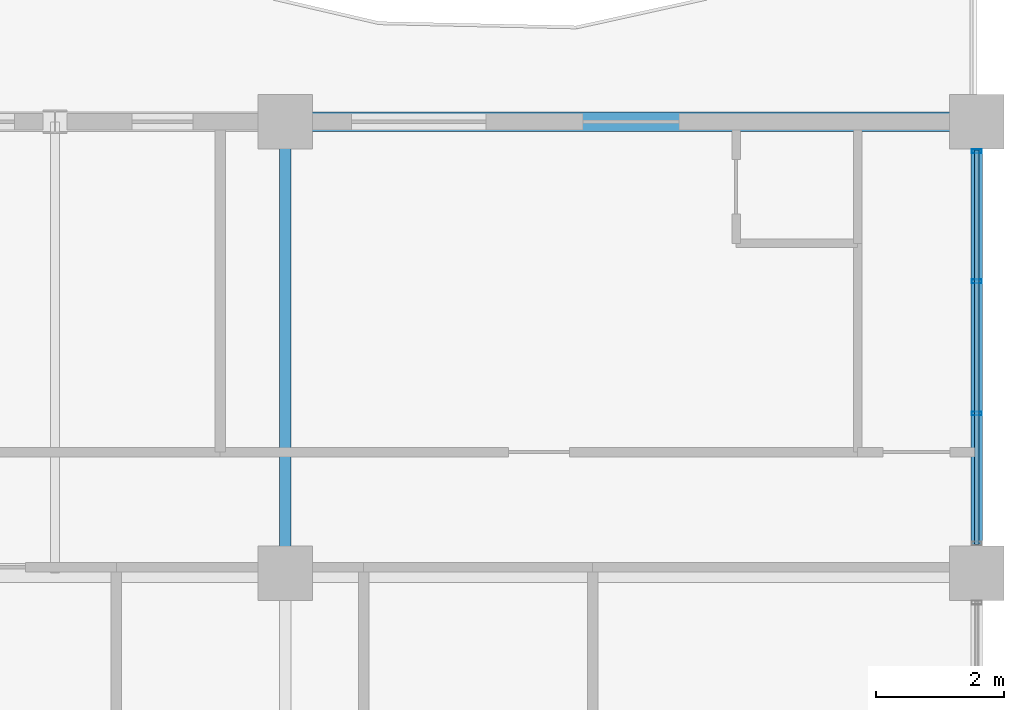
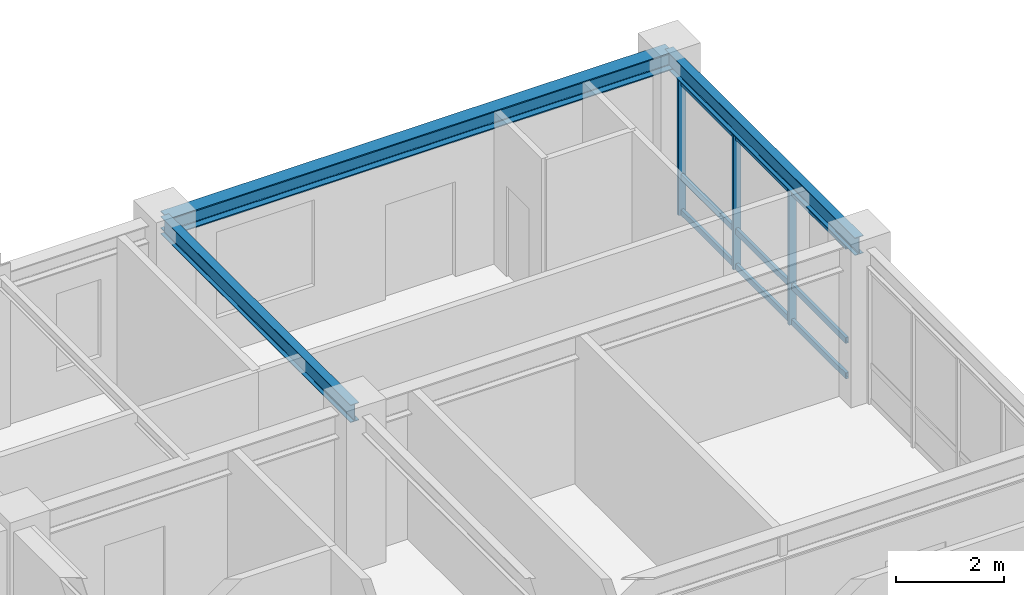
# One storey, part 4 of 11: 6 members, 3 beams, 1 element without a shape of its own.
"""IFC4 building model written with IfcOpenShell, lengths in metres."""

import ifcopenshell
import ifcopenshell.guid

model = None  # the IFC model being written
_history = None  # IfcOwnerHistory: only IFC2X3 demands one
_inside = {}  # id of a spatial element -> (the spatial element, [elements in it])
_under = {}  # id of a project, library or spatial element -> (it, [spatial elements below it])
_declared = {}  # id of a project -> (the project, [libraries it declares])
_typed = {}  # id of a type object -> (the type object, [elements of that type])
_made_of = {}  # id of a material, layer set ... -> (it, [elements and type objects made of it])


def new_model(schema):
    """Start an empty IFC model of exactly this schema.

    Asked for "IFC4X3", IfcOpenShell would pick the latest addendum, in which some entities
    have other attributes; the version numbers below select the first issue.
    IFC2X3 requires an IfcOwnerHistory on every rooted entity: one is made here for all.
    """
    global model, _history
    if schema == "IFC4X3":
        model = ifcopenshell.file(schema_version=(4, 3, 0, 0))
    else:
        model = ifcopenshell.file(schema=schema)
    _inside.clear()
    _under.clear()
    _declared.clear()
    _typed.clear()
    _made_of.clear()
    _history = None
    if model.schema == "IFC2X3":
        org = make("IfcOrganization", Name="unknown")
        user = make(
            "IfcPersonAndOrganization",
            ThePerson=make("IfcPerson", FamilyName="unknown"),
            TheOrganization=org,
        )
        app = make(
            "IfcApplication",
            ApplicationDeveloper=org,
            Version="unknown",
            ApplicationFullName="unknown",
            ApplicationIdentifier="unknown",
        )
        _history = make(
            "IfcOwnerHistory",
            OwningUser=user,
            OwningApplication=app,
            ChangeAction="ADDED",
            CreationDate=0,
        )
    return model


def make(cls, **values):
    """One entity of the class cls with the attributes given. An attribute that is None is left unset."""
    return model.create_entity(
        cls, **{name: value for name, value in values.items() if value is not None}
    )


def rooted(cls, **values):
    """An entity with a GlobalId (a new one), such as an element, a storey or a relation."""
    return make(cls, GlobalId=ifcopenshell.guid.new(), OwnerHistory=_history, **values)


def si_unit(unit_type, name, prefix=None):
    """IfcSIUnit, for example si_unit("LENGTHUNIT", "METRE", prefix="MILLI")."""
    return make("IfcSIUnit", UnitType=unit_type, Prefix=prefix, Name=name)


def assignment(units):
    """IfcUnitAssignment: the units of a project."""
    return None if units is None else make("IfcUnitAssignment", Units=units)


def point(xyz):
    """IfcCartesianPoint."""
    return None if xyz is None else make("IfcCartesianPoint", Coordinates=xyz)


def direction(xyz):
    """IfcDirection."""
    return None if xyz is None else make("IfcDirection", DirectionRatios=xyz)


def frame(location, z_axis=None, x_axis=None):
    """IfcAxis2Placement3D, a coordinate frame: its origin and axes. An axis left out is left unset."""
    return make(
        "IfcAxis2Placement3D",
        Location=point(location),
        Axis=direction(z_axis),
        RefDirection=direction(x_axis),
    )


def frame_2d(location, x_axis=None):
    """IfcAxis2Placement2D, a coordinate frame in the plane: its origin and x axis."""
    return make(
        "IfcAxis2Placement2D", Location=point(location), RefDirection=direction(x_axis)
    )


def origin():
    """The frame at (0, 0, 0) with its axes left unset."""
    return frame((0.0, 0.0, 0.0))


def origin_2d():
    """The frame at (0, 0) in the plane with its x axis left unset."""
    return frame_2d((0.0, 0.0))


def place(relative_to, where):
    """IfcLocalPlacement: puts the frame where relative to a parent placement (None: the world)."""
    return make(
        "IfcLocalPlacement", PlacementRelTo=relative_to, RelativePlacement=where
    )


def context(
    kind, dimensions, precision=None, world=None, true_north=None, identifier=None
):
    """IfcGeometricRepresentationContext, for example the 3D "Model" context."""
    return make(
        "IfcGeometricRepresentationContext",
        ContextIdentifier=identifier,
        ContextType=kind,
        CoordinateSpaceDimension=dimensions,
        Precision=precision,
        WorldCoordinateSystem=world,
        TrueNorth=true_north,
    )


def subcontext(parent, identifier, kind, view, scale=None):
    """IfcGeometricRepresentationSubContext, for example "Body" below "Model"."""
    return make(
        "IfcGeometricRepresentationSubContext",
        ContextIdentifier=identifier,
        ContextType=kind,
        ParentContext=parent,
        TargetScale=scale,
        TargetView=view,
    )


def project(units=None, contexts=None):
    """IfcProject with its units and contexts."""
    return rooted(
        "IfcProject",
        Name="project",
        RepresentationContexts=contexts,
        UnitsInContext=assignment(units),
    )


def spatial(cls, under=None, at=None, **own):
    """A site, building, storey or space (cls), placed at a placement, below another one or the project."""
    s = rooted(cls, ObjectPlacement=at, **own)
    if under is not None:
        _under.setdefault(under.id(), (under, []))[1].append(s)
    return s


def profile(cls, at=None, kind="AREA", **sizes):
    """A parametric profile (cls). Its sizes go by their IFC names, for example OverallWidth=200.0."""
    return make(cls, ProfileType=kind, Position=at, **sizes)


def hollow_rectangle(**sizes):
    """IfcRectangleHollowProfileDef."""
    return profile("IfcRectangleHollowProfileDef", **sizes)


def i_section(**sizes):
    """IfcIShapeProfileDef."""
    return profile("IfcIShapeProfileDef", **sizes)


def extrude(swept, where, along, depth):
    """IfcExtrudedAreaSolid: the profile swept, set in the frame where, extruded along a direction by depth."""
    return make(
        "IfcExtrudedAreaSolid",
        SweptArea=swept,
        Position=where,
        ExtrudedDirection=direction(along),
        Depth=depth,
    )


def shape(context_of_items, identifier, shape_type, items):
    """IfcShapeRepresentation: the items that make up one representation, for example the "Body"."""
    return make(
        "IfcShapeRepresentation",
        ContextOfItems=context_of_items,
        RepresentationIdentifier=identifier,
        RepresentationType=shape_type,
        Items=items,
    )


def source(mapping_origin, context_of_items, identifier, shape_type, items):
    """IfcRepresentationMap: a shape defined once, which mapped items show again and again."""
    return make(
        "IfcRepresentationMap",
        MappingOrigin=mapping_origin,
        MappedRepresentation=shape(context_of_items, identifier, shape_type, items),
    )


def transform(
    local_origin,
    x_axis=None,
    y_axis=None,
    z_axis=None,
    scale=None,
    scale2=None,
    scale3=None,
    uniform=True,
):
    """IfcCartesianTransformationOperator3D, or its non-uniform kind. x_axis, y_axis, z_axis: its Axis1, 2, 3."""
    if uniform:
        return make(
            "IfcCartesianTransformationOperator3D",
            Axis1=direction(x_axis),
            Axis2=direction(y_axis),
            LocalOrigin=point(local_origin),
            Scale=scale,
            Axis3=direction(z_axis),
        )
    return make(
        "IfcCartesianTransformationOperator3DnonUniform",
        Axis1=direction(x_axis),
        Axis2=direction(y_axis),
        LocalOrigin=point(local_origin),
        Scale=scale,
        Axis3=direction(z_axis),
        Scale2=scale2,
        Scale3=scale3,
    )


def mapped(mapping_source, mapping_target):
    """IfcMappedItem: shows the shape of a source again, moved by a transform."""
    return make(
        "IfcMappedItem", MappingSource=mapping_source, MappingTarget=mapping_target
    )


def material(Name=None, Category=None):
    """IfcMaterial."""
    return make("IfcMaterial", Name=Name, Category=Category)


def layer(
    of_material, thickness, ventilated=None, Name=None, Category=None, Priority=None
):
    """IfcMaterialLayer: one layer of a wall or slab, of a material (None: an air gap)."""
    return make(
        "IfcMaterialLayer",
        Material=of_material,
        LayerThickness=thickness,
        IsVentilated=ventilated,
        Name=Name,
        Category=Category,
        Priority=Priority,
    )


def layer_set(layers, Name=None):
    """IfcMaterialLayerSet."""
    return make("IfcMaterialLayerSet", MaterialLayers=layers, LayerSetName=Name)


def material_profile(
    of_material, cross_section, Name=None, Category=None, Priority=None
):
    """IfcMaterialProfile: a cross section and its material."""
    return make(
        "IfcMaterialProfile",
        Name=Name,
        Material=of_material,
        Profile=cross_section,
        Priority=Priority,
        Category=Category,
    )


def profile_set(profiles, Name=None, composite=None):
    """IfcMaterialProfileSet."""
    return make(
        "IfcMaterialProfileSet",
        Name=Name,
        MaterialProfiles=profiles,
        CompositeProfile=composite,
    )


def made_of(thing, what):
    """Note that an element or type object is made of a material, layer set ...; save() writes the relation."""
    if what is not None:
        _made_of.setdefault(what.id(), (what, []))[1].append(thing)
    return thing


def type_object(cls, material=None, **own):
    """A type object (cls), such as IfcWallType, which elements share."""
    return made_of(rooted(cls, **own), material)


def element(
    cls,
    number,
    at=None,
    inside=None,
    cuts=None,
    type_object=None,
    material=None,
    context=None,
    identifier="Body",
    shape_type=None,
    held_by="IfcProductDefinitionShape",
    body=None,
    shapes=None,
    **own,
):
    """One element of the class cls, such as IfcWall. Its Tag is "e" and its number.

    at: its placement. inside: the storey or other place that contains it. cuts: it is an
    opening in that element (IfcRelVoidsElement). A single representation is given by context,
    identifier, shape_type and body (its items); several are given by shapes. held_by: the class
    of the entity that holds the representations. save() writes the other relations.
    """
    e = rooted(cls, Tag="e%d" % number, ObjectPlacement=at, **own)
    if body is not None:
        shapes = [shape(context, identifier, shape_type, body)]
    if shapes is not None:
        e.Representation = make(held_by, Representations=shapes)
    if inside is not None:
        _inside.setdefault(inside.id(), (inside, []))[1].append(e)
    if cuts is not None:
        rooted(
            "IfcRelVoidsElement", RelatingBuildingElement=cuts, RelatedOpeningElement=e
        )
    if type_object is not None:
        _typed.setdefault(type_object.id(), (type_object, []))[1].append(e)
    return made_of(e, material)


def aggregate(whole, parts):
    """IfcRelAggregates: a whole, such as a stair, and the parts it consists of."""
    return rooted("IfcRelAggregates", RelatingObject=whole, RelatedObjects=parts)


def save(model, path):
    """Write the relations noted so far, then the file.

    IfcRelAggregates (storeys below a building ...), IfcRelContainedInSpatialStructure (elements
    in a storey), IfcRelDefinesByType, IfcRelAssociatesMaterial and IfcRelDeclares: one each for
    every whole, place, type object, material and project.
    """
    for whole, parts in _under.values():
        aggregate(whole, parts)
    for where, things in _inside.values():
        rooted(
            "IfcRelContainedInSpatialStructure",
            RelatedElements=things,
            RelatingStructure=where,
        )
    for kind, things in _typed.values():
        rooted("IfcRelDefinesByType", RelatedObjects=things, RelatingType=kind)
    for what, things in _made_of.values():
        rooted("IfcRelAssociatesMaterial", RelatedObjects=things, RelatingMaterial=what)
    for by, libraries in _declared.values():
        rooted("IfcRelDeclares", RelatingContext=by, RelatedDefinitions=libraries)
    model.write(path)


model = new_model("IFC4")

# Units and contexts
model_context = context("Model", 3, precision=1e-05, world=origin(), true_north=direction((0.0, 1.0)))
body_context = subcontext(model_context, "Body", "Model", "MODEL_VIEW")
ifc_project = project(units=[si_unit("LENGTHUNIT", "METRE"), si_unit("AREAUNIT", "SQUARE_METRE"), si_unit("VOLUMEUNIT", "CUBIC_METRE"), si_unit("PLANEANGLEUNIT", "RADIAN"), si_unit("MASSUNIT", "GRAM", prefix="KILO")], contexts=[model_context])

# Site, building, storey
site_placement = place(None, origin())
site = spatial("IfcSite", under=ifc_project, at=site_placement, CompositionType="ELEMENT")
building_placement = place(site_placement, origin())
building = spatial("IfcBuilding", under=site, at=building_placement, Name="Kaliganga Portal Commons", CompositionType="ELEMENT")
storey_placement = place(building_placement, frame((0.0, 0.0, 261.0)))
storey = spatial("IfcBuildingStorey", under=building, at=storey_placement, Name="L67", CompositionType="ELEMENT", Elevation=261.0)

# Beams
ifc_material_1 = material(Name="Structural steel S355J2", Category="steel")
ifc_material_profile_1 = material_profile(ifc_material_1, i_section(OverallWidth=0.300048828125, OverallDepth=0.39990234375, WebThickness=0.013427734375, FlangeThickness=0.02392578125, FilletRadius=0.027099609375, at=origin_2d()), Name="HE 400 B")
ifc_profile_set_1 = profile_set([ifc_material_profile_1], Name="Structural steel S355J2 wide-flange")
beam_type_1 = type_object("IfcBeamType", Name="BM-SPAND-400", PredefinedType="SPANDREL", material=ifc_profile_set_1)
shared_shape_1 = source(origin(), body_context, "Body", "SweptSolid", [
    extrude(i_section(OverallWidth=0.300048828125, OverallDepth=0.39990234375, WebThickness=0.013427734375, FlangeThickness=0.02392578125, FilletRadius=0.027099609375, at=origin_2d()), origin(), (0.0, 0.0, 1.0), 10.800048828125),
])
beam_placement = place(storey_placement, frame((36.0, 43.199951171875, 3.27490234375), z_axis=(1.0, 0.0, 0.0), x_axis=(0.0, 1.0, 0.0)))
element("IfcBeam", 1, at=beam_placement, inside=storey, type_object=beam_type_1, Name="BM SP L67 AN 7", PredefinedType="SPANDREL", context=body_context, shape_type="MappedRepresentation", body=[
    mapped(shared_shape_1, transform((0.0, 0.0, 0.0), x_axis=(1.0, 0.0, 0.0), y_axis=(0.0, 1.0, 0.0), z_axis=(0.0, 0.0, 1.0), scale=1.0)),
])
ifc_material_profile_2 = material_profile(ifc_material_1, i_section(OverallWidth=0.179931640625, OverallDepth=0.39990234375, WebThickness=0.008544921875, FlangeThickness=0.013427734375, FilletRadius=0.02099609375, at=origin_2d()), Name="IPE 400")
ifc_profile_set_2 = profile_set([ifc_material_profile_2], Name="Structural steel S355J2 wide-flange")
beam_type_2 = type_object("IfcBeamType", Name="BM-FLR-400", PredefinedType="BEAM", material=ifc_profile_set_2)
shared_shape_2 = source(origin(), body_context, "Body", "SweptSolid", [
    extrude(i_section(OverallWidth=0.179931640625, OverallDepth=0.39990234375, WebThickness=0.008544921875, FlangeThickness=0.013427734375, FilletRadius=0.02099609375, at=origin_2d()), origin(), (0.0, 0.0, 1.0), 7.050048828125),
])
for number, where, z_axis, x_axis, name in (
    (2, (36.0, 36.14990234375, 3.27490234375), (0.0, 1.0, 0.0), (-1.0, 0.0, 0.0), "BM G L67 AN360"),
    (3, (46.800048828125, 36.14990234375, 3.27490234375), (0.0, 1.0, 0.0), (-1.0, 0.0, 0.0), "BM G L67 AN468"),
):
    element("IfcBeam", number, at=place(storey_placement, frame(where, z_axis=z_axis, x_axis=x_axis)), inside=storey, type_object=beam_type_2, Name=name, PredefinedType="BEAM", context=body_context, shape_type="MappedRepresentation", body=[
        mapped(shared_shape_2, transform((0.0, 0.0, 0.0), x_axis=(1.0, 0.0, 0.0), y_axis=(0.0, 1.0, 0.0), z_axis=(0.0, 0.0, 1.0), scale=1.0)),
    ])

# Curtain wall, members
ifc_material_2 = material(Name="Anodized Aluminium and Laminated Low-E Glass", Category="aluminium")
ifc_layer = layer(ifc_material_2, 0.18994140625)
ifc_layer_set = layer_set([ifc_layer], Name="Anodized Aluminium and Laminated Low-E Glass")
curtain_wall_type = type_object("IfcCurtainWallType", Name="CW-SYS-05", PredefinedType="NOTDEFINED", material=ifc_layer_set)
curtain_wall_placement = place(storey_placement, origin())
curtain_wall = element("IfcCurtainWall", 4, at=curtain_wall_placement, inside=storey, type_object=curtain_wall_type, Name="CW 05 L67 P1E01S3", PredefinedType="NOTDEFINED")
ifc_material_3 = material(Name="Dark Bronze Anodized Aluminium", Category="aluminium")
ifc_material_profile_3 = material_profile(ifc_material_3, hollow_rectangle(XDim=0.06005859375, YDim=0.159912109375, WallThickness=0.00341796875, at=origin_2d()), Name="ALU MULL 60x160x3.5")
ifc_profile_set_3 = profile_set([ifc_material_profile_3], Name="Dark Bronze Anodized Aluminium")
member_type_1 = type_object("IfcMemberType", Name="CW-MUL-160", PredefinedType="MULLION", material=ifc_profile_set_3)
shared_shape_3 = source(origin(), body_context, "Body", "SweptSolid", [
    extrude(hollow_rectangle(XDim=0.06005859375, YDim=0.159912109375, WallThickness=0.00341796875, at=origin_2d()), origin(), (0.0, 0.0, 1.0), 3.074951171875),
])
member_1_placement = place(storey_placement, frame((46.800048828125, 38.64208984375, 0.0), z_axis=(0.0, 0.0, 1.0), x_axis=(0.0, 1.0, 0.0)))
member_1 = element("IfcMember", 5, at=member_1_placement, type_object=member_type_1, Name="CW:05:L67:P1E01S3 Mullion 01", PredefinedType="MULLION", context=body_context, shape_type="MappedRepresentation", body=[
    mapped(shared_shape_3, transform((0.0, 0.0, 0.0), x_axis=(1.0, 0.0, 0.0), y_axis=(0.0, 1.0, 0.0), z_axis=(0.0, 0.0, 1.0), scale=1.0)),
])
member_2_placement = place(storey_placement, frame((46.800048828125, 40.7080078125, 0.0), z_axis=(0.0, 0.0, 1.0), x_axis=(0.0, 1.0, 0.0)))
member_2 = element("IfcMember", 6, at=member_2_placement, type_object=member_type_1, Name="CW:05:L67:P1E01S3 Mullion 02", PredefinedType="MULLION", context=body_context, shape_type="MappedRepresentation", body=[
    mapped(shared_shape_3, transform((0.0, 0.0, 0.0), x_axis=(1.0, 0.0, 0.0), y_axis=(0.0, 1.0, 0.0), z_axis=(0.0, 0.0, 1.0), scale=1.0)),
])
member_3_placement = place(storey_placement, frame((46.800048828125, 42.739013671875, 0.0), z_axis=(0.0, 0.0, 1.0), x_axis=(0.0, 1.0, 0.0)))
member_3 = element("IfcMember", 7, at=member_3_placement, type_object=member_type_1, Name="CW:05:L67:P1E01S3 Mullion 03", PredefinedType="MULLION", context=body_context, shape_type="MappedRepresentation", body=[
    mapped(shared_shape_3, transform((0.0, 0.0, 0.0), x_axis=(1.0, 0.0, 0.0), y_axis=(0.0, 1.0, 0.0), z_axis=(0.0, 0.0, 1.0), scale=1.0)),
])
ifc_material_profile_4 = material_profile(ifc_material_3, hollow_rectangle(XDim=0.06494140625, YDim=0.135009765625, WallThickness=0.00341796875, at=origin_2d()), Name="ALU TRAN 65x135x3.5")
ifc_profile_set_4 = profile_set([ifc_material_profile_4], Name="Dark Bronze Anodized Aluminium")
member_type_2 = type_object("IfcMemberType", Name="CW-TRN-135", PredefinedType="USERDEFINED", material=ifc_profile_set_4)
shared_shape_4 = source(origin(), body_context, "Body", "SweptSolid", [
    extrude(hollow_rectangle(XDim=0.06494140625, YDim=0.135009765625, WallThickness=0.00341796875, at=origin_2d()), origin(), (0.0, 0.0, 1.0), 6.157958984375),
])
member_4_placement = place(storey_placement, frame((46.800048828125, 36.595947265625, 0.06005859375), z_axis=(0.0, 1.0, 0.0), x_axis=(-1.0, 0.0, 0.0)))
member_4 = element("IfcMember", 8, at=member_4_placement, type_object=member_type_2, Name="CW:05:L67:P1E01S3 Transom 1", ObjectType="TRANSOM", PredefinedType="USERDEFINED", context=body_context, shape_type="MappedRepresentation", body=[
    mapped(shared_shape_4, transform((0.0, 0.0, 0.0), x_axis=(1.0, 0.0, 0.0), y_axis=(0.0, 1.0, 0.0), z_axis=(0.0, 0.0, 1.0), scale=1.0)),
])
member_5_placement = place(storey_placement, frame((46.800048828125, 36.595947265625, 0.861083984375), z_axis=(0.0, 1.0, 0.0), x_axis=(-1.0, 0.0, 0.0)))
member_5 = element("IfcMember", 9, at=member_5_placement, type_object=member_type_2, Name="CW:05:L67:P1E01S3 Transom 2", ObjectType="TRANSOM", PredefinedType="USERDEFINED", context=body_context, shape_type="MappedRepresentation", body=[
    mapped(shared_shape_4, transform((0.0, 0.0, 0.0), x_axis=(1.0, 0.0, 0.0), y_axis=(0.0, 1.0, 0.0), z_axis=(0.0, 0.0, 1.0), scale=1.0)),
])
member_6_placement = place(storey_placement, frame((46.800048828125, 36.595947265625, 2.9951171875), z_axis=(0.0, 1.0, 0.0), x_axis=(-1.0, 0.0, 0.0)))
member_6 = element("IfcMember", 10, at=member_6_placement, type_object=member_type_2, Name="CW:05:L67:P1E01S3 Transom 3", ObjectType="TRANSOM", PredefinedType="USERDEFINED", context=body_context, shape_type="MappedRepresentation", body=[
    mapped(shared_shape_4, transform((0.0, 0.0, 0.0), x_axis=(1.0, 0.0, 0.0), y_axis=(0.0, 1.0, 0.0), z_axis=(0.0, 0.0, 1.0), scale=1.0)),
])
aggregate(curtain_wall, [member_1, member_2, member_3, member_4, member_5, member_6])

save(model, "model.ifc")
